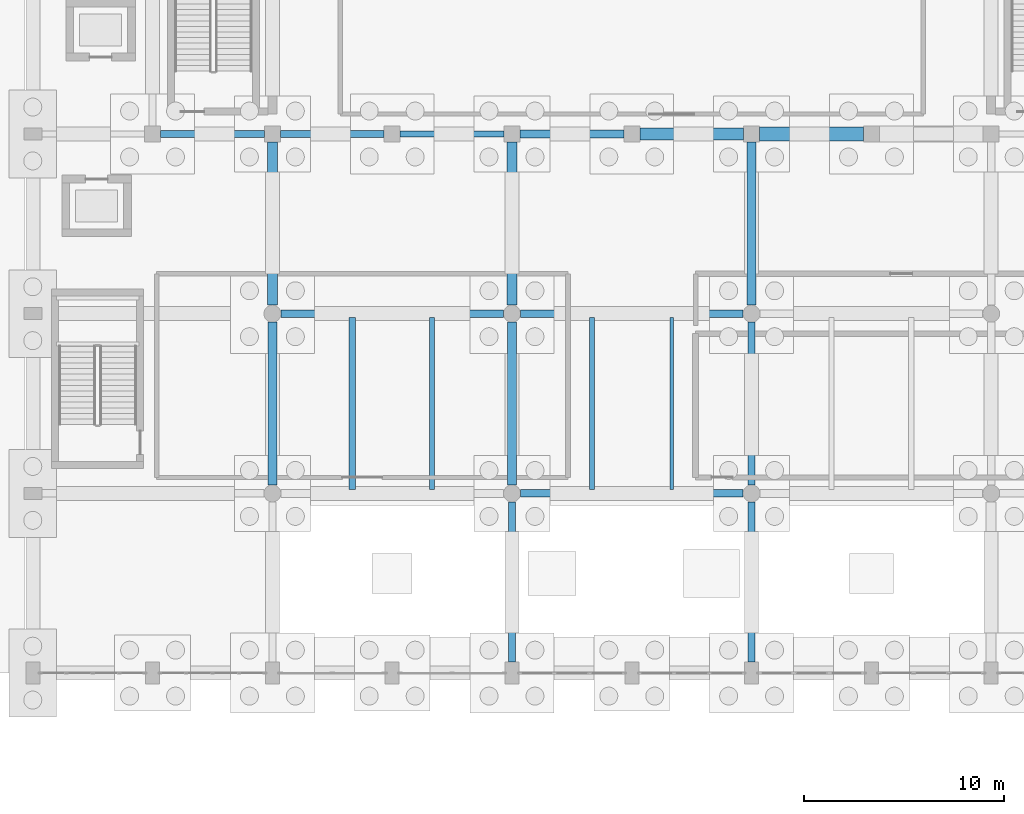
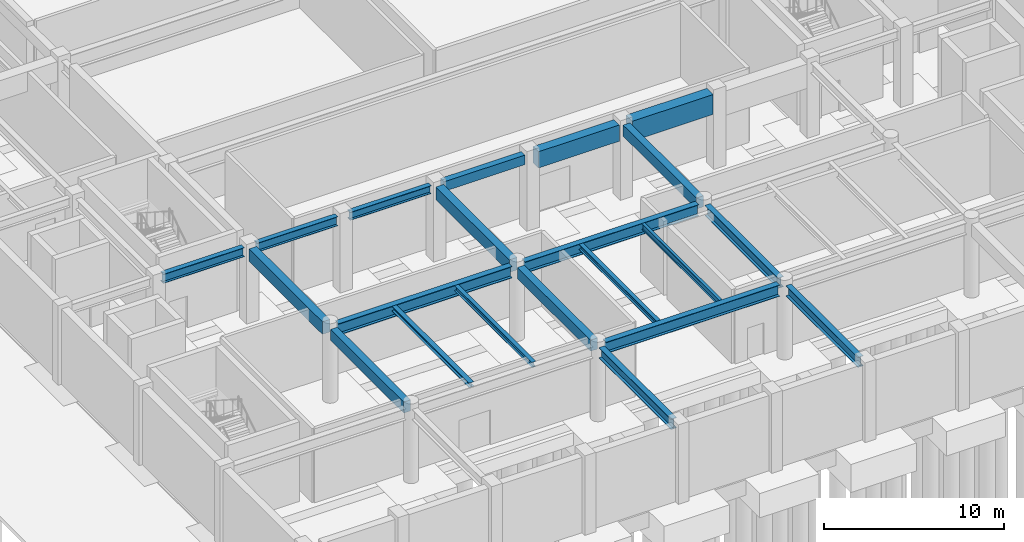
# One storey, part 32 of 69: 21 beams.
"""IFC4 building model written with IfcOpenShell, lengths in metres."""

from ifc_helpers import new_model, si_unit, direction, frame, origin, origin_2d, place, context, subcontext, project, spatial, rectangle, i_section, extrude, material, material_profile, profile_set, type_object, element, save


model = new_model("IFC4")

# Units and contexts
model_context = context("Model", 3, precision=1e-05, world=origin(), true_north=direction((0.0, 1.0)))
body_context = subcontext(model_context, "Body", "Model", "MODEL_VIEW")
ifc_project = project(units=[si_unit("LENGTHUNIT", "METRE"), si_unit("AREAUNIT", "SQUARE_METRE"), si_unit("VOLUMEUNIT", "CUBIC_METRE"), si_unit("PLANEANGLEUNIT", "RADIAN"), si_unit("MASSUNIT", "GRAM", prefix="KILO")], contexts=[model_context])

# Site, building, storey
site_placement = place(None, origin())
site = spatial("IfcSite", under=ifc_project, at=site_placement, CompositionType="ELEMENT")
building_placement = place(site_placement, origin())
building = spatial("IfcBuilding", under=site, at=building_placement, Name="Vaelkrest Opera House", CompositionType="ELEMENT")
storey_placement = place(building_placement, frame((0.0, 0.0, -5.39990234375)))
storey = spatial("IfcBuildingStorey", under=building, at=storey_placement, Name="B1", CompositionType="ELEMENT", Elevation=-5.39990234375)

# Beams
ifc_material_1 = material(Name="Concrete C50/60", Category="concrete")
ifc_material_profile_1 = material_profile(ifc_material_1, rectangle(XDim=0.39990234375, YDim=0.64990234375, at=origin_2d()), Name="RCB400X650")
ifc_profile_set_1 = profile_set([ifc_material_profile_1], Name="Concrete C50/60")
beam_type_1 = type_object("IfcBeamType", Name="B01", PredefinedType="BEAM", material=ifc_profile_set_1)
beam_1_placement = place(storey_placement, frame((-5.60009765625, -28.800048828125, 4.73486328125), z_axis=(1.0, 0.0, 0.0), x_axis=(0.0, 1.0, 0.0)))
element("IfcBeam", 1, at=beam_1_placement, inside=storey, type_object=beam_type_1, Name="Beam BM-V1-B1-0013", PredefinedType="BEAM", context=body_context, shape_type="SweptSolid", body=[
    extrude(rectangle(XDim=0.39990234375, YDim=0.64990234375, at=origin_2d()), origin(), (0.0, 0.0, 1.0), 5.2001953125),
])
ifc_material_profile_2 = material_profile(ifc_material_1, rectangle(XDim=0.449951171875, YDim=0.75, at=origin_2d()), Name="RCB450X750")
ifc_profile_set_2 = profile_set([ifc_material_profile_2], Name="Concrete C50/60")
beam_type_2 = type_object("IfcBeamType", Name="B02", PredefinedType="BEAM", material=ifc_profile_set_2)
for number, where, z_axis, x_axis, name in (
    (2, (-18.0, -46.375, 4.684814453125), (0.0, 1.0, 0.0), (-1.0, 0.0, 0.0), "Beam BM-V1-B1-0043"),
    (3, (-6.0, -46.375, 4.684814453125), (0.0, 1.0, 0.0), (-1.0, 0.0, 0.0), "Beam BM-V1-B1-0051"),
):
    element("IfcBeam", number, at=place(storey_placement, frame(where, z_axis=z_axis, x_axis=x_axis)), inside=storey, type_object=beam_type_2, Name=name, PredefinedType="BEAM", context=body_context, shape_type="SweptSolid", body=[
        extrude(rectangle(XDim=0.449951171875, YDim=0.75, at=origin_2d()), origin(), (0.0, 0.0, 1.0), 8.14990234375),
    ])
beam_2_placement = place(storey_placement, frame((6.0, -37.375, 4.684814453125), z_axis=(0.0, 1.0, 0.0), x_axis=(-1.0, 0.0, 0.0)))
element("IfcBeam", 4, at=beam_2_placement, inside=storey, type_object=beam_type_2, Name="Beam BM-V1-B1-0055", PredefinedType="BEAM", context=body_context, shape_type="SweptSolid", body=[
    extrude(rectangle(XDim=0.449951171875, YDim=0.75, at=origin_2d()), origin(), (0.0, 0.0, 1.0), 8.175048828125),
])
ifc_material_profile_3 = material_profile(ifc_material_1, rectangle(XDim=0.5, YDim=0.85009765625, at=origin_2d()), Name="RCB500X850")
ifc_profile_set_3 = profile_set([ifc_material_profile_3], Name="Concrete C50/60")
beam_type_3 = type_object("IfcBeamType", Name="B03", PredefinedType="BEAM", material=ifc_profile_set_3)
for number, where, z_axis, x_axis, name in (
    (5, (-18.0, -37.375, 4.635009765625), (0.0, 1.0, 0.0), (-1.0, 0.0, 0.0), "Beam BM-V1-B1-0044"),
    (6, (-6.0, -37.375, 4.635009765625), (0.0, 1.0, 0.0), (-1.0, 0.0, 0.0), "Beam BM-V1-B1-0052"),
):
    element("IfcBeam", number, at=place(storey_placement, frame(where, z_axis=z_axis, x_axis=x_axis)), inside=storey, type_object=beam_type_3, Name=name, PredefinedType="BEAM", context=body_context, shape_type="SweptSolid", body=[
        extrude(rectangle(XDim=0.5, YDim=0.85009765625, at=origin_2d()), origin(), (0.0, 0.0, 1.0), 8.175048828125),
    ])
ifc_material_profile_4 = material_profile(ifc_material_1, rectangle(XDim=0.60009765625, YDim=1.10009765625, at=origin_2d()), Name="RCB600X1100")
ifc_profile_set_4 = profile_set([ifc_material_profile_4], Name="Concrete C50/60")
beam_type_4 = type_object("IfcBeamType", Name="B05", PredefinedType="BEAM", material=ifc_profile_set_4)
beam_3_placement = place(storey_placement, frame((0.39990234375, -28.800048828125, 4.510009765625), z_axis=(1.0, 0.0, 0.0), x_axis=(0.0, 1.0, 0.0)))
element("IfcBeam", 7, at=beam_3_placement, inside=storey, type_object=beam_type_4, Name="Beam BM-V1-B1-0014", PredefinedType="BEAM", context=body_context, shape_type="SweptSolid", body=[
    extrude(rectangle(XDim=0.60009765625, YDim=1.10009765625, at=origin_2d()), origin(), (0.0, 0.0, 1.0), 5.2001953125),
])
ifc_material_profile_5 = material_profile(ifc_material_1, rectangle(XDim=0.699951171875, YDim=1.35009765625, at=origin_2d()), Name="RCB700X1350")
ifc_profile_set_5 = profile_set([ifc_material_profile_5], Name="Concrete C50/60")
beam_type_5 = type_object("IfcBeamType", Name="B06", PredefinedType="BEAM", material=ifc_profile_set_5)
beam_4_placement = place(storey_placement, frame((6.39990234375, -28.800048828125, 4.385009765625), z_axis=(1.0, 0.0, 0.0), x_axis=(0.0, 1.0, 0.0)))
element("IfcBeam", 8, at=beam_4_placement, inside=storey, type_object=beam_type_5, Name="Beam BM-V1-B1-0015", PredefinedType="BEAM", context=body_context, shape_type="SweptSolid", body=[
    extrude(rectangle(XDim=0.699951171875, YDim=1.35009765625, at=origin_2d()), origin(), (0.0, 0.0, 1.0), 5.2001953125),
])
ifc_material_2 = material(Name="Steel A992 Gr50", Category="steel")
ifc_material_profile_6 = material_profile(ifc_material_2, i_section(OverallWidth=0.327880859375, OverallDepth=0.6279296875, WebThickness=0.0166015625, FlangeThickness=0.027587890625, at=origin_2d()), Name="W24X146")
ifc_profile_set_6 = profile_set([ifc_material_profile_6], Name="Steel A992 Gr50")
beam_type_6 = type_object("IfcBeamType", Name="B09", PredefinedType="BEAM", material=ifc_profile_set_6)
beam_5_placement = place(storey_placement, frame((-23.60009765625, -28.800048828125, 4.745849609375), z_axis=(1.0, 0.0, 0.0), x_axis=(0.0, 1.0, 0.0)))
element("IfcBeam", 9, at=beam_5_placement, inside=storey, type_object=beam_type_6, Name="Beam BM-V1-B1-0010", PredefinedType="BEAM", context=body_context, shape_type="SweptSolid", body=[
    extrude(i_section(OverallWidth=0.327880859375, OverallDepth=0.6279296875, WebThickness=0.0166015625, FlangeThickness=0.027587890625, at=origin_2d()), origin(), (0.0, 0.0, 1.0), 5.2001953125),
])
ifc_material_profile_7 = material_profile(ifc_material_2, i_section(OverallWidth=0.35498046875, OverallDepth=0.695068359375, WebThickness=0.015380859375, FlangeThickness=0.02490234375, at=origin_2d()), Name="W27X146")
ifc_profile_set_7 = profile_set([ifc_material_profile_7], Name="Steel A992 Gr50")
beam_type_7 = type_object("IfcBeamType", Name="B10", PredefinedType="BEAM", material=ifc_profile_set_7)
beam_6_placement = place(storey_placement, frame((6.0, -55.25, 4.71240234375), z_axis=(0.0, 1.0, 0.0), x_axis=(-1.0, 0.0, 0.0)))
element("IfcBeam", 10, at=beam_6_placement, inside=storey, type_object=beam_type_7, Name="Beam BM-V1-B1-0053", PredefinedType="BEAM", context=body_context, shape_type="SweptSolid", body=[
    extrude(i_section(OverallWidth=0.35498046875, OverallDepth=0.695068359375, WebThickness=0.015380859375, FlangeThickness=0.02490234375, at=origin_2d()), origin(), (0.0, 0.0, 1.0), 8.02490234375),
])
ifc_material_profile_8 = material_profile(ifc_material_2, i_section(OverallWidth=0.381103515625, OverallDepth=0.77294921875, WebThickness=0.0166015625, FlangeThickness=0.027099609375, at=origin_2d()), Name="W30X173")
ifc_profile_set_8 = profile_set([ifc_material_profile_8], Name="Steel A992 Gr50")
beam_type_8 = type_object("IfcBeamType", Name="B11", PredefinedType="BEAM", material=ifc_profile_set_8)
for number, where, z_axis, x_axis, name in (
    (11, (-5.574951171875, -46.800048828125, 4.67333984375), (1.0, 0.0, 0.0), (0.0, 1.0, 0.0), "Beam BM-V1-B1-0003"),
    (12, (-5.574951171875, -37.800048828125, 4.67333984375), (1.0, 0.0, 0.0), (0.0, 1.0, 0.0), "Beam BM-V1-B1-0007"),
):
    element("IfcBeam", number, at=place(storey_placement, frame(where, z_axis=z_axis, x_axis=x_axis)), inside=storey, type_object=beam_type_8, Name=name, PredefinedType="BEAM", context=body_context, shape_type="SweptSolid", body=[
        extrude(i_section(OverallWidth=0.381103515625, OverallDepth=0.77294921875, WebThickness=0.0166015625, FlangeThickness=0.027099609375, at=origin_2d()), origin(), (0.0, 0.0, 1.0), 11.14990234375),
    ])
ifc_material_profile_9 = material_profile(ifc_material_2, i_section(OverallWidth=0.35791015625, OverallDepth=0.7060546875, WebThickness=0.018310546875, FlangeThickness=0.0302734375, at=origin_2d()), Name="W27X178")
ifc_profile_set_9 = profile_set([ifc_material_profile_9], Name="Steel A992 Gr50")
beam_type_9 = type_object("IfcBeamType", Name="B14", PredefinedType="BEAM", material=ifc_profile_set_9)
beam_7_placement = place(storey_placement, frame((-6.0, -55.25, 4.706787109375), z_axis=(0.0, 1.0, 0.0), x_axis=(-1.0, 0.0, 0.0)))
element("IfcBeam", 13, at=beam_7_placement, inside=storey, type_object=beam_type_9, Name="Beam BM-V1-B1-0050", PredefinedType="BEAM", context=body_context, shape_type="SweptSolid", body=[
    extrude(i_section(OverallWidth=0.35791015625, OverallDepth=0.7060546875, WebThickness=0.018310546875, FlangeThickness=0.0302734375, at=origin_2d()), origin(), (0.0, 0.0, 1.0), 8.02490234375),
])
beam_8_placement = place(storey_placement, frame((6.0, -46.375, 4.706787109375), z_axis=(0.0, 1.0, 0.0), x_axis=(-1.0, 0.0, 0.0)))
element("IfcBeam", 14, at=beam_8_placement, inside=storey, type_object=beam_type_9, Name="Beam BM-V1-B1-0054", PredefinedType="BEAM", context=body_context, shape_type="SweptSolid", body=[
    extrude(i_section(OverallWidth=0.35791015625, OverallDepth=0.7060546875, WebThickness=0.018310546875, FlangeThickness=0.0302734375, at=origin_2d()), origin(), (0.0, 0.0, 1.0), 8.14990234375),
])
ifc_material_profile_10 = material_profile(ifc_material_2, i_section(OverallWidth=0.384033203125, OverallDepth=0.785888671875, WebThickness=0.019775390625, FlangeThickness=0.033447265625, at=origin_2d()), Name="W30X211")
ifc_profile_set_10 = profile_set([ifc_material_profile_10], Name="Steel A992 Gr50")
beam_type_10 = type_object("IfcBeamType", Name="B16", PredefinedType="BEAM", material=ifc_profile_set_10)
beam_9_placement = place(storey_placement, frame((-17.574951171875, -37.800048828125, 4.6669921875), z_axis=(1.0, 0.0, 0.0), x_axis=(0.0, 1.0, 0.0)))
element("IfcBeam", 15, at=beam_9_placement, inside=storey, type_object=beam_type_10, Name="Beam BM-V1-B1-0006", PredefinedType="BEAM", context=body_context, shape_type="SweptSolid", body=[
    extrude(i_section(OverallWidth=0.384033203125, OverallDepth=0.785888671875, WebThickness=0.019775390625, FlangeThickness=0.033447265625, at=origin_2d()), origin(), (0.0, 0.0, 1.0), 11.14990234375),
])
ifc_material_profile_11 = material_profile(ifc_material_2, i_section(OverallWidth=0.326904296875, OverallDepth=0.6220703125, WebThickness=0.015380859375, FlangeThickness=0.0244140625, at=origin_2d()), Name="W24X131")
ifc_profile_set_11 = profile_set([ifc_material_profile_11], Name="Steel A992 Gr50")
beam_type_11 = type_object("IfcBeamType", Name="B19", PredefinedType="BEAM", material=ifc_profile_set_11)
beam_10_placement = place(storey_placement, frame((-17.60009765625, -28.800048828125, 4.7490234375), z_axis=(1.0, 0.0, 0.0), x_axis=(0.0, 1.0, 0.0)))
element("IfcBeam", 16, at=beam_10_placement, inside=storey, type_object=beam_type_11, Name="Beam BM-V1-B1-0011", PredefinedType="BEAM", context=body_context, shape_type="SweptSolid", body=[
    extrude(i_section(OverallWidth=0.326904296875, OverallDepth=0.6220703125, WebThickness=0.015380859375, FlangeThickness=0.0244140625, at=origin_2d()), origin(), (0.0, 0.0, 1.0), 5.2001953125),
])
ifc_material_profile_12 = material_profile(ifc_material_2, i_section(OverallWidth=0.31494140625, OverallDepth=0.551025390625, WebThickness=0.01513671875, FlangeThickness=0.0244140625, at=origin_2d()), Name="W21X122")
ifc_profile_set_12 = profile_set([ifc_material_profile_12], Name="Steel A992 Gr50")
beam_type_12 = type_object("IfcBeamType", Name="B20", PredefinedType="BEAM", material=ifc_profile_set_12)
beam_11_placement = place(storey_placement, frame((-11.60009765625, -28.800048828125, 4.784423828125), z_axis=(1.0, 0.0, 0.0), x_axis=(0.0, 1.0, 0.0)))
element("IfcBeam", 17, at=beam_11_placement, inside=storey, type_object=beam_type_12, Name="Beam BM-V1-B1-0012", PredefinedType="BEAM", context=body_context, shape_type="SweptSolid", body=[
    extrude(i_section(OverallWidth=0.31494140625, OverallDepth=0.551025390625, WebThickness=0.01513671875, FlangeThickness=0.0244140625, at=origin_2d()), origin(), (0.0, 0.0, 1.0), 5.2001953125),
])
ifc_material_profile_13 = material_profile(ifc_material_2, i_section(OverallWidth=0.304931640625, OverallDepth=0.30810546875, WebThickness=0.010009765625, FlangeThickness=0.015380859375, at=origin_2d()), Name="W12X65")
ifc_profile_set_13 = profile_set([ifc_material_profile_13], Name="Steel A992 Gr50")
beam_type_13 = type_object("IfcBeamType", Name="J04", PredefinedType="JOIST", material=ifc_profile_set_13)
beam_12_placement = place(storey_placement, frame((-14.0, -46.60791015625, 4.906005859375), z_axis=(0.0, 1.0, 0.0), x_axis=(-1.0, 0.0, 0.0)))
element("IfcBeam", 18, at=beam_12_placement, inside=storey, type_object=beam_type_13, Name="Floor joist JST-V1-B1-0074", PredefinedType="JOIST", context=body_context, shape_type="SweptSolid", body=[
    extrude(i_section(OverallWidth=0.304931640625, OverallDepth=0.30810546875, WebThickness=0.010009765625, FlangeThickness=0.015380859375, at=origin_2d()), origin(), (0.0, 0.0, 1.0), 8.615966796875),
])
ifc_material_profile_14 = material_profile(ifc_material_2, i_section(OverallWidth=0.2548828125, OverallDepth=0.35693359375, WebThickness=0.010498046875, FlangeThickness=0.018310546875, at=origin_2d()), Name="W14X68")
ifc_profile_set_14 = profile_set([ifc_material_profile_14], Name="Steel A992 Gr50")
beam_type_14 = type_object("IfcBeamType", Name="J05", PredefinedType="JOIST", material=ifc_profile_set_14)
beam_13_placement = place(storey_placement, frame((-10.0, -46.60791015625, 4.88134765625), z_axis=(0.0, 1.0, 0.0), x_axis=(-1.0, 0.0, 0.0)))
element("IfcBeam", 19, at=beam_13_placement, inside=storey, type_object=beam_type_14, Name="Floor joist JST-V1-B1-0075", PredefinedType="JOIST", context=body_context, shape_type="SweptSolid", body=[
    extrude(i_section(OverallWidth=0.2548828125, OverallDepth=0.35693359375, WebThickness=0.010498046875, FlangeThickness=0.018310546875, at=origin_2d()), origin(), (0.0, 0.0, 1.0), 8.615966796875),
])
ifc_material_profile_15 = material_profile(ifc_material_2, i_section(OverallWidth=0.257080078125, OverallDepth=0.363037109375, WebThickness=0.012939453125, FlangeThickness=0.021728515625, at=origin_2d()), Name="W14X82")
ifc_profile_set_15 = profile_set([ifc_material_profile_15], Name="Steel A992 Gr50")
beam_type_15 = type_object("IfcBeamType", Name="J06", PredefinedType="JOIST", material=ifc_profile_set_15)
beam_14_placement = place(storey_placement, frame((-2.0, -46.609619140625, 4.87841796875), z_axis=(0.0, 1.0, 0.0), x_axis=(-1.0, 0.0, 0.0)))
element("IfcBeam", 20, at=beam_14_placement, inside=storey, type_object=beam_type_15, Name="Floor joist JST-V1-B1-0076", PredefinedType="JOIST", context=body_context, shape_type="SweptSolid", body=[
    extrude(i_section(OverallWidth=0.257080078125, OverallDepth=0.363037109375, WebThickness=0.012939453125, FlangeThickness=0.021728515625, at=origin_2d()), origin(), (0.0, 0.0, 1.0), 8.619140625),
])
ifc_material_profile_16 = material_profile(ifc_material_2, i_section(OverallWidth=0.180908203125, OverallDepth=0.4169921875, WebThickness=0.010986328125, FlangeThickness=0.018310546875, at=origin_2d()), Name="W16X57")
ifc_profile_set_16 = profile_set([ifc_material_profile_16], Name="Steel A992 Gr50")
beam_type_16 = type_object("IfcBeamType", Name="J07", PredefinedType="JOIST", material=ifc_profile_set_16)
beam_15_placement = place(storey_placement, frame((2.0, -46.609619140625, 4.851318359375), z_axis=(0.0, 1.0, 0.0), x_axis=(-1.0, 0.0, 0.0)))
element("IfcBeam", 21, at=beam_15_placement, inside=storey, type_object=beam_type_16, Name="Floor joist JST-V1-B1-0077", PredefinedType="JOIST", context=body_context, shape_type="SweptSolid", body=[
    extrude(i_section(OverallWidth=0.180908203125, OverallDepth=0.4169921875, WebThickness=0.010986328125, FlangeThickness=0.018310546875, at=origin_2d()), origin(), (0.0, 0.0, 1.0), 8.619140625),
])

save(model, "model.ifc")
